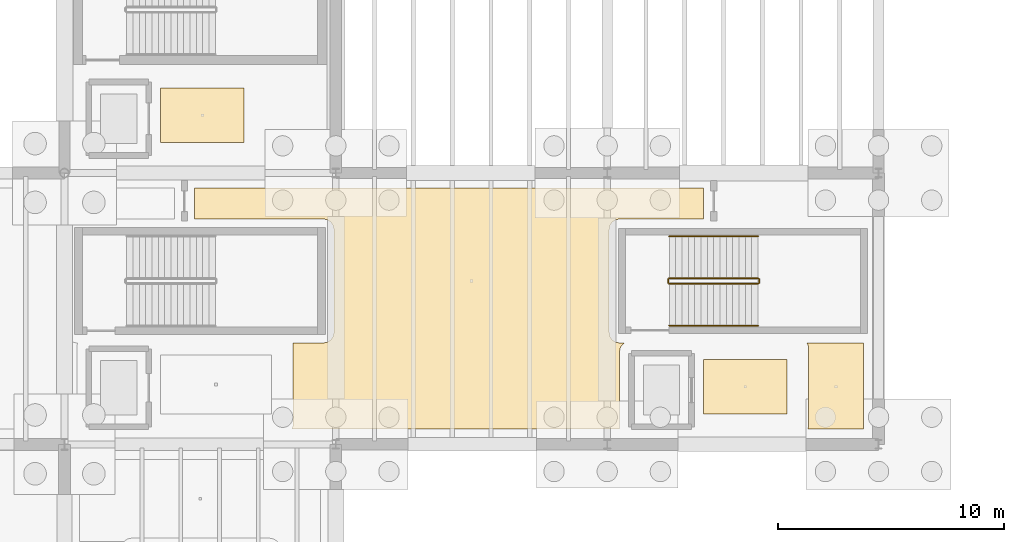
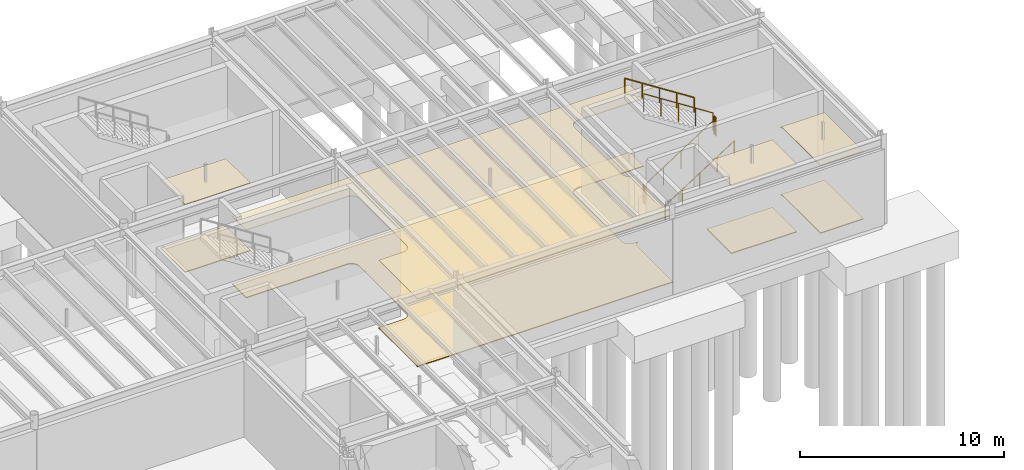
# One storey, part 65 of 67: 8 coverings, 6 railings.
"""IFC4 building model written with IfcOpenShell, lengths in metres."""

from ifc_helpers import new_model, si_unit, direction, frame, origin, origin_2d, place, context, subcontext, project, spatial, polyline, circle, outline, extrude, material, layer, layer_set, type_object, element, save


model = new_model("IFC4")

# Units and contexts
model_context = context("Model", 3, precision=1e-05, world=origin(), true_north=direction((0.0, 1.0)))
body_context = subcontext(model_context, "Body", "Model", "MODEL_VIEW")
ifc_project = project(units=[si_unit("LENGTHUNIT", "METRE"), si_unit("AREAUNIT", "SQUARE_METRE"), si_unit("VOLUMEUNIT", "CUBIC_METRE"), si_unit("PLANEANGLEUNIT", "RADIAN"), si_unit("MASSUNIT", "GRAM", prefix="KILO")], contexts=[model_context])

# Site, building, storey
site_placement = place(None, origin())
site = spatial("IfcSite", under=ifc_project, at=site_placement, CompositionType="ELEMENT")
building_placement = place(site_placement, origin())
building = spatial("IfcBuilding", under=site, at=building_placement, Name="Zlatogorsky Bluff Art Gallery", CompositionType="ELEMENT")
storey_placement = place(building_placement, frame((0.0, 0.0, -5.39990234375)))
storey = spatial("IfcBuildingStorey", under=building, at=storey_placement, Name="B1", CompositionType="ELEMENT", Elevation=-5.39990234375)

# Coverings
ifc_material_1 = material(Name="Perforated Gypsum Acoustic Board", Category="gypsum")
ifc_layer_1 = layer(ifc_material_1, 0.0400390625)
ifc_layer_set_1 = layer_set([ifc_layer_1], Name="Acoustic Gallery Ceiling CLG-01")
covering_type_1 = type_object("IfcCoveringType", Name="Acoustic Gallery Ceiling CLG-01", PredefinedType="CEILING", material=ifc_layer_set_1)
covering_1_placement = place(storey_placement, frame((0.0, 0.0, 4.0498046875)))
element("IfcCovering", 1, at=covering_1_placement, inside=storey, type_object=covering_type_1, Name="Lift Lobby PL-1 acoustic ceiling", PredefinedType="CEILING", context=body_context, shape_type="SweptSolid", body=[
    extrude(outline(polyline([(127.949951171875, 99.75), (127.949951171875, 97.35009765625), (124.25, 97.35009765625), (124.25, 99.75), (127.949951171875, 99.75)])), origin(), (0.0, 0.0, 1.0), 0.0400390625),
])
covering_2_placement = place(storey_placement, frame((0.0, 0.0, 4.0498046875)))
element("IfcCovering", 2, at=covering_2_placement, inside=storey, type_object=covering_type_1, Name="Lift Lobby PL-2 acoustic ceiling", PredefinedType="CEILING", context=body_context, shape_type="SweptSolid", body=[
    extrude(outline(polyline([(151.949951171875, 87.75), (151.949951171875, 85.35009765625), (148.25, 85.35009765625), (148.25, 87.75), (151.949951171875, 87.75)])), origin(), (0.0, 0.0, 1.0), 0.0400390625),
])
covering_3_placement = place(storey_placement, frame((0.0, 0.0, 4.0498046875)))
element("IfcCovering", 3, at=covering_3_placement, inside=storey, type_object=covering_type_1, Name="Climate-Controlled Art Stores acoustic ceiling", PredefinedType="CEILING", context=body_context, shape_type="SweptSolid", body=[
    extrude(outline(polyline([(130.065673828125, 84.677734375), (130.08056640625, 84.719482421875), (130.09130859375, 84.76220703125), (130.097900390625, 84.805908203125), (130.10009765625, 84.85009765625), (130.10009765625, 88.449951171875), (130.097900390625, 88.489990234375), (131.450927734375, 88.489990234375), (131.495361328125, 88.4921875), (131.539306640625, 88.498779296875), (131.540283203125, 88.498779296875), (131.549560546875, 88.5009765625), (131.550537109375, 88.501220703125), (131.59375, 88.512939453125), (131.6357421875, 88.529296875), (131.637451171875, 88.530029296875), (131.673095703125, 88.5478515625), (131.674072265625, 88.54833984375), (131.706298828125, 88.568115234375), (131.73681640625, 88.59033203125), (131.73828125, 88.591552734375), (131.775390625, 88.624755859375), (131.80859375, 88.661865234375), (131.809814453125, 88.663330078125), (131.83203125, 88.693603515625), (131.851806640625, 88.725830078125), (131.852294921875, 88.726806640625), (131.8701171875, 88.762451171875), (131.870361328125, 88.763427734375), (131.870849609375, 88.764404296875), (131.886962890625, 88.80615234375), (131.89892578125, 88.849609375), (131.899169921875, 88.850341796875), (131.901123046875, 88.859619140625), (131.9013671875, 88.860595703125), (131.90771484375, 88.90478515625), (131.909912109375, 88.948974609375), (131.909912109375, 93.5009765625), (131.90771484375, 93.54541015625), (131.9013671875, 93.58935546875), (131.901123046875, 93.59033203125), (131.899169921875, 93.599609375), (131.89892578125, 93.6005859375), (131.886962890625, 93.643798828125), (131.870849609375, 93.685791015625), (131.870361328125, 93.6865234375), (131.8701171875, 93.6875), (131.852294921875, 93.72314453125), (131.851806640625, 93.72412109375), (131.83203125, 93.75634765625), (131.809814453125, 93.78662109375), (131.80859375, 93.7880859375), (131.775390625, 93.8251953125), (131.73828125, 93.8583984375), (131.73681640625, 93.859619140625), (131.706298828125, 93.882080078125), (131.674072265625, 93.901611328125), (131.673095703125, 93.902099609375), (131.637451171875, 93.919921875), (131.63671875, 93.92041015625), (131.6357421875, 93.9208984375), (131.59375, 93.93701171875), (131.550537109375, 93.948974609375), (131.549560546875, 93.94921875), (131.540283203125, 93.951171875), (131.539306640625, 93.951416015625), (131.495361328125, 93.957763671875), (131.450927734375, 93.9599609375), (125.7548828125, 93.9599609375), (125.7548828125, 95.330078125), (148.2607421875, 95.330078125), (148.2607421875, 93.9599609375), (144.549072265625, 93.9599609375), (144.504638671875, 93.957763671875), (144.460693359375, 93.951416015625), (144.459716796875, 93.951171875), (144.450439453125, 93.94921875), (144.449462890625, 93.948974609375), (144.40625, 93.93701171875), (144.3642578125, 93.9208984375), (144.36328125, 93.92041015625), (144.362548828125, 93.919921875), (144.326904296875, 93.902099609375), (144.325927734375, 93.901611328125), (144.293701171875, 93.882080078125), (144.26318359375, 93.859619140625), (144.26171875, 93.8583984375), (144.224609375, 93.8251953125), (144.19140625, 93.7880859375), (144.190185546875, 93.78662109375), (144.16796875, 93.75634765625), (144.148193359375, 93.72412109375), (144.147705078125, 93.72314453125), (144.1298828125, 93.6875), (144.129638671875, 93.6865234375), (144.129150390625, 93.685791015625), (144.113037109375, 93.643798828125), (144.10107421875, 93.6005859375), (144.100830078125, 93.599609375), (144.098876953125, 93.59033203125), (144.0986328125, 93.58935546875), (144.09228515625, 93.54541015625), (144.090087890625, 93.5009765625), (144.090087890625, 88.948974609375), (144.09228515625, 88.90478515625), (144.0986328125, 88.860595703125), (144.098876953125, 88.859619140625), (144.100830078125, 88.850341796875), (144.10107421875, 88.849609375), (144.113037109375, 88.80615234375), (144.129150390625, 88.764404296875), (144.129638671875, 88.763427734375), (144.1298828125, 88.762451171875), (144.147705078125, 88.726806640625), (144.148193359375, 88.725830078125), (144.16796875, 88.693603515625), (144.190185546875, 88.663330078125), (144.19140625, 88.661865234375), (144.224609375, 88.624755859375), (144.26171875, 88.591552734375), (144.26318359375, 88.59033203125), (144.293701171875, 88.568115234375), (144.325927734375, 88.54833984375), (144.326904296875, 88.5478515625), (144.362548828125, 88.530029296875), (144.3642578125, 88.529296875), (144.40625, 88.512939453125), (144.449462890625, 88.501220703125), (144.450439453125, 88.5009765625), (144.459716796875, 88.498779296875), (144.460693359375, 88.498779296875), (144.504638671875, 88.4921875), (144.549072265625, 88.489990234375), (144.7763671875, 88.489990234375), (144.75, 88.47412109375), (144.714599609375, 88.447998046875), (144.681884765625, 88.418212890625), (144.652099609375, 88.385498046875), (144.625732421875, 88.35009765625), (144.60302734375, 88.31201171875), (144.584228515625, 88.272216796875), (144.5693359375, 88.230712890625), (144.55859375, 88.187744140625), (144.55224609375, 88.14404296875), (144.550048828125, 88.10009765625), (144.550048828125, 84.699951171875), (144.551513671875, 84.669921875), (130.06201171875, 84.669921875), (130.065673828125, 84.677734375)])), origin(), (0.0, 0.0, 1.0), 0.0400390625),
])
covering_4_placement = place(storey_placement, frame((0.0, 0.0, 4.0498046875)))
element("IfcCovering", 4, at=covering_4_placement, inside=storey, type_object=covering_type_1, Name="Climate-Controlled Art Stores acoustic ceiling", PredefinedType="CEILING", context=body_context, shape_type="SweptSolid", body=[
    extrude(outline(polyline([(155.330078125, 88.489990234375), (155.330078125, 84.669921875), (152.862060546875, 84.669921875), (152.86572265625, 84.677734375), (152.880615234375, 84.719482421875), (152.891357421875, 84.76220703125), (152.897705078125, 84.805908203125), (152.89990234375, 84.85009765625), (152.89990234375, 88.25), (152.897705078125, 88.294189453125), (152.891357421875, 88.337890625), (152.880615234375, 88.380615234375), (152.86572265625, 88.422119140625), (152.846923828125, 88.462158203125), (152.830078125, 88.489990234375), (155.330078125, 88.489990234375)])), origin(), (0.0, 0.0, 1.0), 0.0400390625),
])

# Railings
ifc_material_2 = material(Name="Architectural Bronze and Laminated Glass", Category="glass")
railing_type_1 = type_object("IfcRailingType", Name="Gallery Guard Rail 1100mm", PredefinedType="GUARDRAIL", material=ifc_material_2)
railing_1_placement = place(storey_placement, frame((146.75, 91.10009765625, 0.179931640625)))
element("IfcRailing", 5, at=railing_1_placement, inside=storey, type_object=railing_type_1, Name="B1 ST-04 stair guard 1", PredefinedType="GUARDRAIL", context=body_context, shape_type="SweptSolid", body=[
    extrude(circle(Radius=0.02392578125, at=origin_2d()), frame((0.0, 0.0, 1.076171875), z_axis=(0.841171666519, 0.0, 0.540768182723), x_axis=(0.0, 1.0, 0.0)), (0.0, 0.0, 1.0), 4.66015625),
    extrude(circle(Radius=0.02099609375, at=origin_2d()), origin(), (0.0, 0.0, 1.0), 1.052001953125),
    extrude(circle(Radius=0.02099609375, at=origin_2d()), frame((0.97998046875, 0.0, 0.6298828125)), (0.0, 0.0, 1.0), 1.052001953125),
    extrude(circle(Radius=0.02099609375, at=origin_2d()), frame((1.9599609375, 0.0, 1.260009765625)), (0.0, 0.0, 1.0), 1.052001953125),
    extrude(circle(Radius=0.02099609375, at=origin_2d()), frame((2.93994140625, 0.0, 1.89013671875)), (0.0, 0.0, 1.0), 1.052001953125),
    extrude(circle(Radius=0.02099609375, at=origin_2d()), frame((3.919921875, 0.0, 2.52001953125)), (0.0, 0.0, 1.0), 1.052001953125),
])
railing_2_placement = place(storey_placement, frame((150.719970703125, 91.14990234375, 2.699951171875)))
element("IfcRailing", 6, at=railing_2_placement, inside=storey, type_object=railing_type_1, Name="B1 ST-04 stair guard 2", PredefinedType="GUARDRAIL", context=body_context, shape_type="SweptSolid", body=[
    extrude(circle(Radius=0.02392578125, at=origin_2d()), frame((0.0, 0.0, 1.076171875), z_axis=(0.0, 1.0, 0.0), x_axis=(-1.0, 0.0, 0.0)), (0.0, 0.0, 1.0), 0.150146484375),
    extrude(circle(Radius=0.02099609375, at=origin_2d()), origin(), (0.0, 0.0, 1.0), 1.052001953125),
    extrude(circle(Radius=0.02099609375, at=origin_2d()), frame((0.0, 0.150146484375, 0.0)), (0.0, 0.0, 1.0), 1.052001953125),
])
railing_3_placement = place(storey_placement, frame((150.669921875, 91.35009765625, 2.8798828125)))
element("IfcRailing", 7, at=railing_3_placement, inside=storey, type_object=railing_type_1, Name="B1 ST-04 stair guard 3", PredefinedType="GUARDRAIL", context=body_context, shape_type="SweptSolid", body=[
    extrude(circle(Radius=0.02392578125, at=origin_2d()), frame((0.0, 0.0, 1.076171875), z_axis=(-0.841171666519, 0.0, 0.540768182723), x_axis=(0.0, -1.0, 0.0)), (0.0, 0.0, 1.0), 4.66015625),
    extrude(circle(Radius=0.02099609375, at=origin_2d()), origin(), (0.0, 0.0, 1.0), 1.052001953125),
    extrude(circle(Radius=0.02099609375, at=origin_2d()), frame((-0.97998046875, 0.0, 0.6298828125)), (0.0, 0.0, 1.0), 1.052001953125),
    extrude(circle(Radius=0.02099609375, at=origin_2d()), frame((-1.9599609375, 0.0, 1.260009765625)), (0.0, 0.0, 1.0), 1.052001953125),
    extrude(circle(Radius=0.02099609375, at=origin_2d()), frame((-2.93994140625, 0.0, 1.89013671875)), (0.0, 0.0, 1.0), 1.052001953125),
    extrude(circle(Radius=0.02099609375, at=origin_2d()), frame((-3.919921875, 0.0, 2.52001953125)), (0.0, 0.0, 1.0), 1.052001953125),
])
railing_4_placement = place(storey_placement, frame((146.699951171875, 91.14990234375, 0.0)))
element("IfcRailing", 8, at=railing_4_placement, inside=storey, type_object=railing_type_1, Name="B1 ST-04 stair guard 4", PredefinedType="GUARDRAIL", context=body_context, shape_type="SweptSolid", body=[
    extrude(circle(Radius=0.02392578125, at=origin_2d()), frame((0.0, 0.0, 1.076171875), z_axis=(0.0, 1.0, 0.0), x_axis=(-1.0, 0.0, 0.0)), (0.0, 0.0, 1.0), 0.150146484375),
    extrude(circle(Radius=0.02099609375, at=origin_2d()), origin(), (0.0, 0.0, 1.0), 1.052001953125),
    extrude(circle(Radius=0.02099609375, at=origin_2d()), frame((0.0, 0.150146484375, 0.0)), (0.0, 0.0, 1.0), 1.052001953125),
])
ifc_material_3 = material(Name="Brushed Stainless Steel", Category="steel")
railing_type_2 = type_object("IfcRailingType", Name="Stair Pitch Handrail 900mm", PredefinedType="HANDRAIL", material=ifc_material_3)
railing_5_placement = place(storey_placement, frame((146.75, 89.25, 0.179931640625)))
element("IfcRailing", 9, at=railing_5_placement, inside=storey, type_object=railing_type_2, Name="B1 ST-04 stair handrail 1", PredefinedType="HANDRAIL", context=body_context, shape_type="SweptSolid", body=[
    extrude(circle(Radius=0.02392578125, at=origin_2d()), frame((0.0, 0.0, 0.8759765625), z_axis=(0.841171666519, 0.0, 0.540768182723), x_axis=(0.0, 1.0, 0.0)), (0.0, 0.0, 1.0), 4.66015625),
    extrude(circle(Radius=0.02099609375, at=origin_2d()), origin(), (0.0, 0.0, 1.0), 0.851806640625),
    extrude(circle(Radius=0.02099609375, at=origin_2d()), frame((0.97998046875, 0.0, 0.6298828125)), (0.0, 0.0, 1.0), 0.851806640625),
    extrude(circle(Radius=0.02099609375, at=origin_2d()), frame((1.9599609375, 0.0, 1.260009765625)), (0.0, 0.0, 1.0), 0.851806640625),
    extrude(circle(Radius=0.02099609375, at=origin_2d()), frame((2.93994140625, 0.0, 1.89013671875)), (0.0, 0.0, 1.0), 0.851806640625),
    extrude(circle(Radius=0.02099609375, at=origin_2d()), frame((3.919921875, 0.0, 2.52001953125)), (0.0, 0.0, 1.0), 0.851806640625),
])
railing_6_placement = place(storey_placement, frame((150.669921875, 93.199951171875, 2.8798828125)))
element("IfcRailing", 10, at=railing_6_placement, inside=storey, type_object=railing_type_2, Name="B1 ST-04 stair handrail 2", PredefinedType="HANDRAIL", context=body_context, shape_type="SweptSolid", body=[
    extrude(circle(Radius=0.02392578125, at=origin_2d()), frame((0.0, 0.0, 0.8759765625), z_axis=(-0.841171666519, 0.0, 0.540768182723), x_axis=(0.0, -1.0, 0.0)), (0.0, 0.0, 1.0), 4.66015625),
    extrude(circle(Radius=0.02099609375, at=origin_2d()), origin(), (0.0, 0.0, 1.0), 0.851806640625),
    extrude(circle(Radius=0.02099609375, at=origin_2d()), frame((-0.97998046875, 0.0, 0.6298828125)), (0.0, 0.0, 1.0), 0.851806640625),
    extrude(circle(Radius=0.02099609375, at=origin_2d()), frame((-1.9599609375, 0.0, 1.260009765625)), (0.0, 0.0, 1.0), 0.851806640625),
    extrude(circle(Radius=0.02099609375, at=origin_2d()), frame((-2.93994140625, 0.0, 1.89013671875)), (0.0, 0.0, 1.0), 0.851806640625),
    extrude(circle(Radius=0.02099609375, at=origin_2d()), frame((-3.919921875, 0.0, 2.52001953125)), (0.0, 0.0, 1.0), 0.851806640625),
])

# Coverings
ifc_material_4 = material(Name="Polished Ural Marble Terrazzo", Category="masonry")
ifc_layer_2 = layer(ifc_material_4, 0.050048828125)
ifc_layer_set_2 = layer_set([ifc_layer_2], Name="Terrazzo Gallery Flooring FLR-01")
covering_type_2 = type_object("IfcCoveringType", Name="Terrazzo Gallery Flooring FLR-01", PredefinedType="FLOORING", material=ifc_layer_set_2)
covering_5_placement = place(storey_placement, origin())
element("IfcCovering", 11, at=covering_5_placement, inside=storey, type_object=covering_type_2, Name="Lift Lobby PL-1 terrazzo floor finish", PredefinedType="FLOORING", context=body_context, shape_type="SweptSolid", body=[
    extrude(outline(polyline([(127.949951171875, 99.75), (127.949951171875, 97.35009765625), (124.25, 97.35009765625), (124.25, 99.75), (127.949951171875, 99.75)])), origin(), (0.0, 0.0, 1.0), 0.0498046875),
])
covering_6_placement = place(storey_placement, origin())
element("IfcCovering", 12, at=covering_6_placement, inside=storey, type_object=covering_type_2, Name="Lift Lobby PL-2 terrazzo floor finish", PredefinedType="FLOORING", context=body_context, shape_type="SweptSolid", body=[
    extrude(outline(polyline([(151.949951171875, 87.75), (151.949951171875, 85.35009765625), (148.25, 85.35009765625), (148.25, 87.75), (151.949951171875, 87.75)])), origin(), (0.0, 0.0, 1.0), 0.0498046875),
])
covering_7_placement = place(storey_placement, origin())
element("IfcCovering", 13, at=covering_7_placement, inside=storey, type_object=covering_type_2, Name="Climate-Controlled Art Stores terrazzo floor finish", PredefinedType="FLOORING", context=body_context, shape_type="SweptSolid", body=[
    extrude(outline(polyline([(130.065673828125, 84.677734375), (130.08056640625, 84.719482421875), (130.09130859375, 84.76220703125), (130.097900390625, 84.805908203125), (130.10009765625, 84.85009765625), (130.10009765625, 88.449951171875), (130.097900390625, 88.489990234375), (131.450927734375, 88.489990234375), (131.495361328125, 88.4921875), (131.539306640625, 88.498779296875), (131.540283203125, 88.498779296875), (131.549560546875, 88.5009765625), (131.550537109375, 88.501220703125), (131.59375, 88.512939453125), (131.6357421875, 88.529296875), (131.637451171875, 88.530029296875), (131.673095703125, 88.5478515625), (131.674072265625, 88.54833984375), (131.706298828125, 88.568115234375), (131.73681640625, 88.59033203125), (131.73828125, 88.591552734375), (131.775390625, 88.624755859375), (131.80859375, 88.661865234375), (131.809814453125, 88.663330078125), (131.83203125, 88.693603515625), (131.851806640625, 88.725830078125), (131.852294921875, 88.726806640625), (131.8701171875, 88.762451171875), (131.870361328125, 88.763427734375), (131.870849609375, 88.764404296875), (131.886962890625, 88.80615234375), (131.89892578125, 88.849609375), (131.899169921875, 88.850341796875), (131.901123046875, 88.859619140625), (131.9013671875, 88.860595703125), (131.90771484375, 88.90478515625), (131.909912109375, 88.948974609375), (131.909912109375, 93.5009765625), (131.90771484375, 93.54541015625), (131.9013671875, 93.58935546875), (131.901123046875, 93.59033203125), (131.899169921875, 93.599609375), (131.89892578125, 93.6005859375), (131.886962890625, 93.643798828125), (131.870849609375, 93.685791015625), (131.870361328125, 93.6865234375), (131.8701171875, 93.6875), (131.852294921875, 93.72314453125), (131.851806640625, 93.72412109375), (131.83203125, 93.75634765625), (131.809814453125, 93.78662109375), (131.80859375, 93.7880859375), (131.775390625, 93.8251953125), (131.73828125, 93.8583984375), (131.73681640625, 93.859619140625), (131.706298828125, 93.882080078125), (131.674072265625, 93.901611328125), (131.673095703125, 93.902099609375), (131.637451171875, 93.919921875), (131.63671875, 93.92041015625), (131.6357421875, 93.9208984375), (131.59375, 93.93701171875), (131.550537109375, 93.948974609375), (131.549560546875, 93.94921875), (131.540283203125, 93.951171875), (131.539306640625, 93.951416015625), (131.495361328125, 93.957763671875), (131.450927734375, 93.9599609375), (125.7548828125, 93.9599609375), (125.7548828125, 95.330078125), (148.2607421875, 95.330078125), (148.2607421875, 93.9599609375), (144.549072265625, 93.9599609375), (144.504638671875, 93.957763671875), (144.460693359375, 93.951416015625), (144.459716796875, 93.951171875), (144.450439453125, 93.94921875), (144.449462890625, 93.948974609375), (144.40625, 93.93701171875), (144.3642578125, 93.9208984375), (144.36328125, 93.92041015625), (144.362548828125, 93.919921875), (144.326904296875, 93.902099609375), (144.325927734375, 93.901611328125), (144.293701171875, 93.882080078125), (144.26318359375, 93.859619140625), (144.26171875, 93.8583984375), (144.224609375, 93.8251953125), (144.19140625, 93.7880859375), (144.190185546875, 93.78662109375), (144.16796875, 93.75634765625), (144.148193359375, 93.72412109375), (144.147705078125, 93.72314453125), (144.1298828125, 93.6875), (144.129638671875, 93.6865234375), (144.129150390625, 93.685791015625), (144.113037109375, 93.643798828125), (144.10107421875, 93.6005859375), (144.100830078125, 93.599609375), (144.098876953125, 93.59033203125), (144.0986328125, 93.58935546875), (144.09228515625, 93.54541015625), (144.090087890625, 93.5009765625), (144.090087890625, 88.948974609375), (144.09228515625, 88.90478515625), (144.0986328125, 88.860595703125), (144.098876953125, 88.859619140625), (144.100830078125, 88.850341796875), (144.10107421875, 88.849609375), (144.113037109375, 88.80615234375), (144.129150390625, 88.764404296875), (144.129638671875, 88.763427734375), (144.1298828125, 88.762451171875), (144.147705078125, 88.726806640625), (144.148193359375, 88.725830078125), (144.16796875, 88.693603515625), (144.190185546875, 88.663330078125), (144.19140625, 88.661865234375), (144.224609375, 88.624755859375), (144.26171875, 88.591552734375), (144.26318359375, 88.59033203125), (144.293701171875, 88.568115234375), (144.325927734375, 88.54833984375), (144.326904296875, 88.5478515625), (144.362548828125, 88.530029296875), (144.3642578125, 88.529296875), (144.40625, 88.512939453125), (144.449462890625, 88.501220703125), (144.450439453125, 88.5009765625), (144.459716796875, 88.498779296875), (144.460693359375, 88.498779296875), (144.504638671875, 88.4921875), (144.549072265625, 88.489990234375), (144.7763671875, 88.489990234375), (144.75, 88.47412109375), (144.714599609375, 88.447998046875), (144.681884765625, 88.418212890625), (144.652099609375, 88.385498046875), (144.625732421875, 88.35009765625), (144.60302734375, 88.31201171875), (144.584228515625, 88.272216796875), (144.5693359375, 88.230712890625), (144.55859375, 88.187744140625), (144.55224609375, 88.14404296875), (144.550048828125, 88.10009765625), (144.550048828125, 84.699951171875), (144.551513671875, 84.669921875), (130.06201171875, 84.669921875), (130.065673828125, 84.677734375)])), origin(), (0.0, 0.0, 1.0), 0.0498046875),
])
covering_8_placement = place(storey_placement, origin())
element("IfcCovering", 14, at=covering_8_placement, inside=storey, type_object=covering_type_2, Name="Climate-Controlled Art Stores terrazzo floor finish", PredefinedType="FLOORING", context=body_context, shape_type="SweptSolid", body=[
    extrude(outline(polyline([(155.330078125, 88.489990234375), (155.330078125, 84.669921875), (152.862060546875, 84.669921875), (152.86572265625, 84.677734375), (152.880615234375, 84.719482421875), (152.891357421875, 84.76220703125), (152.897705078125, 84.805908203125), (152.89990234375, 84.85009765625), (152.89990234375, 88.25), (152.897705078125, 88.294189453125), (152.891357421875, 88.337890625), (152.880615234375, 88.380615234375), (152.86572265625, 88.422119140625), (152.846923828125, 88.462158203125), (152.830078125, 88.489990234375), (155.330078125, 88.489990234375)])), origin(), (0.0, 0.0, 1.0), 0.0498046875),
])

save(model, "model.ifc")
